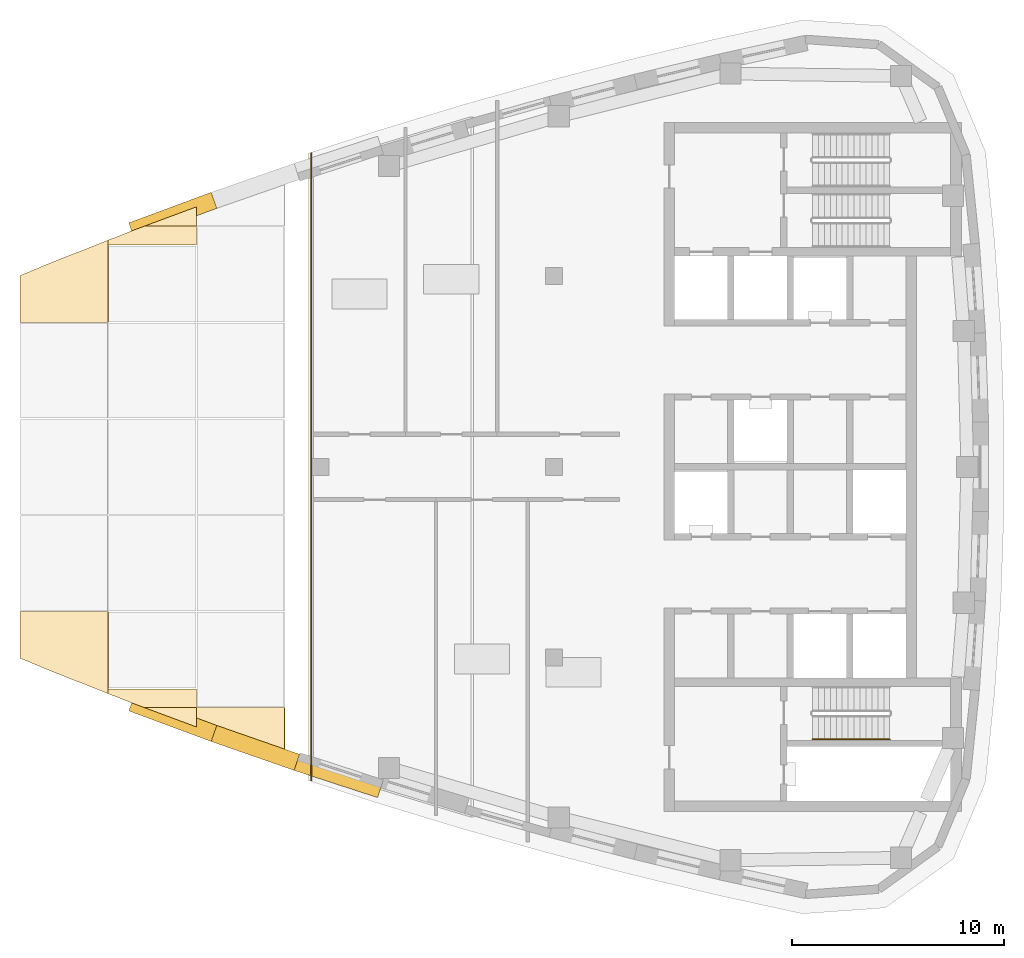
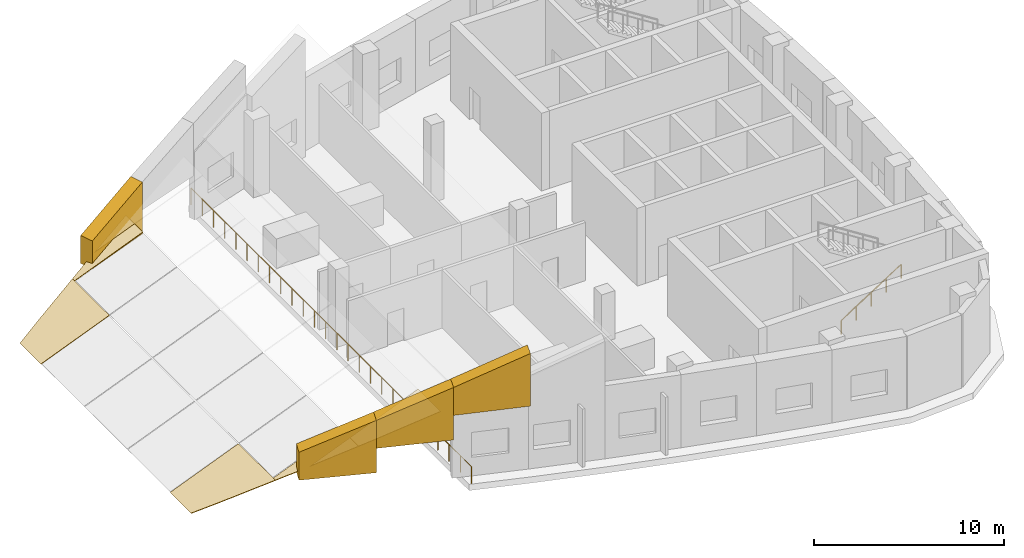
# One storey, part 5 of 8: 11 coverings, 2 railings.
"""IFC4 building model written with IfcOpenShell, lengths in metres."""

from ifc_helpers import new_model, si_unit, direction, frame, origin, origin_2d, place, context, subcontext, project, spatial, polyline, circle, outline, extrude, material, layer, layer_set, type_object, element, save


model = new_model("IFC4")

# Units and contexts
model_context = context("Model", 3, precision=1e-05, world=origin(), true_north=direction((0.0, 1.0)))
body_context = subcontext(model_context, "Body", "Model", "MODEL_VIEW")
ifc_project = project(units=[si_unit("LENGTHUNIT", "METRE"), si_unit("AREAUNIT", "SQUARE_METRE"), si_unit("VOLUMEUNIT", "CUBIC_METRE"), si_unit("PLANEANGLEUNIT", "RADIAN"), si_unit("MASSUNIT", "GRAM", prefix="KILO")], contexts=[model_context])

# Site, building, storey
site_placement = place(None, origin())
site = spatial("IfcSite", under=ifc_project, at=site_placement, CompositionType="ELEMENT")
building_placement = place(site_placement, origin())
building = spatial("IfcBuilding", under=site, at=building_placement, Name="Ostrand Prow Hotel Tower", CompositionType="ELEMENT")
storey_placement = place(building_placement, frame((0.0, 0.0, 332.39990234375)))
storey = spatial("IfcBuildingStorey", under=building, at=storey_placement, Name="C6", CompositionType="ELEMENT", Elevation=332.39990234375)

# Coverings
ifc_material_1 = material(Name="Bronze anodised aluminium cladding", Category="aluminium")
ifc_layer_1 = layer(ifc_material_1, 0.0400390625)
ifc_layer_set_1 = layer_set([ifc_layer_1], Name="Bronze anodised aluminium cladding")
covering_type_1 = type_object("IfcCoveringType", Name="Crown bronze edge capping 40 mm", PredefinedType="CLADDING", material=ifc_layer_set_1)
covering_1_placement = place(storey_placement, frame((21.23779296875, -9.615234375, -0.019775390625), z_axis=(-0.37459851432, 2.1882714e-05, 0.927187118434), x_axis=(0.870821902381, -0.34333938872, 0.351834163332)))
element("IfcCovering", 1, at=covering_1_placement, inside=storey, type_object=covering_type_1, Name="Crown edge capping 4.3", PredefinedType="CLADDING", context=body_context, shape_type="SweptSolid", body=[
    extrude(outline(polyline([(0.0, 0.0), (3.1472252786402533, -1.3877787807814457e-16), (1.8137675160046838, 3.6476989829258986), (-2.400601198109198, 2.107088669510442), (-1.6418345607332125, 0.03146815194410782), (0.0, 0.0)])), origin(), (0.0, 0.0, -1.0), 0.0400390625),
])
covering_2_placement = place(storey_placement, frame((21.23779296875, 9.615234375, -0.019775390625), z_axis=(-0.37459851432, -2.1882714e-05, 0.927187118434), x_axis=(-0.864561522434, -0.361274392442, -0.349305292392)))
element("IfcCovering", 2, at=covering_2_placement, inside=storey, type_object=covering_type_1, Name="Crown edge capping 4.7", PredefinedType="CLADDING", context=body_context, shape_type="SweptSolid", body=[
    extrude(outline(polyline([(0.0, 0.0), (1.642136099537672, -6.938893903907228e-17), (2.440538394554161, 2.0606991818918154), (-1.7435338324738887, 3.6817862848312295), (-3.1466473664025574, 0.060310082275440935), (0.0, 0.0)])), origin(), (0.0, 0.0, -1.0), 0.0400390625),
])
covering_3_placement = place(storey_placement, frame((25.680419921875, -11.353515625, 1.77490234375), z_axis=(-0.37464267894, 0.0, 0.927169274252), x_axis=(0.876699186831, -0.32543213112, 0.354249155036)))
element("IfcCovering", 3, at=covering_3_placement, inside=storey, type_object=covering_type_1, Name="Crown edge capping 5.2", PredefinedType="CLADDING", context=body_context, shape_type="SweptSolid", body=[
    extrude(outline(polyline([(0.0, 0.0), (2.8042641429104074, 0.0), (2.5072755427820916, 0.8629207690088452), (0.0, 0.0)])), origin(), (0.0, 0.0, -1.0), 0.0400390625),
])
covering_4_placement = place(storey_placement, frame((28.138916015625, -11.353515625, 2.768310546875), z_axis=(-0.374619345728, -8.1780269e-05, 0.92717869859), x_axis=(-3.0636471e-05, 0.999999996656, 7.5824924e-05)))
element("IfcCovering", 4, at=covering_4_placement, inside=storey, type_object=covering_type_1, Name="Crown edge capping 5.3", PredefinedType="CLADDING", context=body_context, shape_type="SweptSolid", body=[
    extrude(outline(polyline([(0.0, 0.0), (0.8784179658125649, 2.9761958439657936e-21), (0.8784179710622105, 4.487135366079894), (0.6577148468002431, 4.487135366079894), (0.22021483782556514, 3.2909441201112064), (-5.456937821467114e-09, 2.651615148653285), (0.0, 0.0)])), origin(), (0.0, 0.0, -1.0), 0.0400390625),
])
covering_5_placement = place(storey_placement, frame((23.978515625, 10.69580078125, 1.08740234375), z_axis=(-0.374619345728, 8.1780269e-05, 0.92717869859), x_axis=(-3.0636471e-05, -0.999999996656, 7.5824924e-05)))
element("IfcCovering", 5, at=covering_5_placement, inside=storey, type_object=covering_type_1, Name="Crown edge capping 5.7", PredefinedType="CLADDING", context=body_context, shape_type="SweptSolid", body=[
    extrude(outline(polyline([(0.0, 0.0), (0.2207031242619674, -7.47771273747937e-22), (0.22070311901232176, 4.487135366079894), (-0.6577148468002431, 4.487135366079894), (-0.6577148522571808, 1.8355202174266094), (-0.43750000897467795, 1.1961912459686876), (0.0, 0.0)])), origin(), (0.0, 0.0, -1.0), 0.0400390625),
])
covering_6_placement = place(storey_placement, frame((28.138916015625, 12.26611328125, 2.768310546875), z_axis=(-0.37464267894, 0.0, 0.927169274252), x_axis=(-0.876699186831, -0.32543213112, -0.354249155036)))
element("IfcCovering", 6, at=covering_6_placement, inside=storey, type_object=covering_type_1, Name="Crown edge capping 5.8", PredefinedType="CLADDING", context=body_context, shape_type="SweptSolid", body=[
    extrude(outline(polyline([(0.0, 0.0), (2.8042641429104074, 0.0), (0.29698860012831574, 0.8629207690088452), (0.0, 0.0)])), origin(), (0.0, 0.0, -1.0), 0.0400390625),
])
covering_7_placement = place(storey_placement, frame((28.966796875, -12.573486328125, 3.102783203125), z_axis=(-0.374556229706, 1.0139688e-05, 0.92720420118), x_axis=(0.882267864846, -0.307534524489, 0.356406973708)))
element("IfcCovering", 7, at=covering_7_placement, inside=storey, type_object=covering_type_1, Name="Crown edge capping 6.2", PredefinedType="CLADDING", context=body_context, shape_type="SweptSolid", body=[
    extrude(outline(polyline([(0.0, 0.0), (3.7772054872290606, -8.326672684688674e-17), (3.0447837864507825, 2.2661725306313714), (-1.2248041754254873, 0.8862516137411903), (-0.9441488891610892, 0.01788124782626823), (0.0, 0.0)])), origin(), (0.0, 0.0, -1.0), 0.0400390625),
])

# Railing
ifc_material_2 = material(Name="Stainless steel", Category="steel")
railing_type_1 = type_object("IfcRailingType", Name="Crown deck edge guard 1100", PredefinedType="GUARDRAIL", material=ifc_material_2)
railing_1_placement = place(storey_placement, frame((33.5634765625, -14.794189453125, 0.0)))
element("IfcRailing", 8, at=railing_1_placement, inside=storey, type_object=railing_type_1, Name="Crown deck edge guard C6-1", PredefinedType="GUARDRAIL", context=body_context, shape_type="SweptSolid", body=[
    extrude(circle(Radius=0.02392578125, at=origin_2d()), frame((0.0, 0.0, 1.076171875), z_axis=(0.0, 1.0, 0.0), x_axis=(-1.0, 0.0, 0.0)), (0.0, 0.0, 1.0), 29.58837890625),
    extrude(circle(Radius=0.02099609375, at=origin_2d()), origin(), (0.0, 0.0, 1.0), 1.052001953125),
    extrude(circle(Radius=0.02099609375, at=origin_2d()), frame((0.0, 1.18359375, 0.0)), (0.0, 0.0, 1.0), 1.052001953125),
    extrude(circle(Radius=0.02099609375, at=origin_2d()), frame((0.0, 2.3671875, 0.0)), (0.0, 0.0, 1.0), 1.052001953125),
    extrude(circle(Radius=0.02099609375, at=origin_2d()), frame((0.0, 3.550537109375, 0.0)), (0.0, 0.0, 1.0), 1.052001953125),
    extrude(circle(Radius=0.02099609375, at=origin_2d()), frame((0.0, 4.734130859375, 0.0)), (0.0, 0.0, 1.0), 1.052001953125),
    extrude(circle(Radius=0.02099609375, at=origin_2d()), frame((0.0, 5.917724609375, 0.0)), (0.0, 0.0, 1.0), 1.052001953125),
    extrude(circle(Radius=0.02099609375, at=origin_2d()), frame((0.0, 7.101318359375, 0.0)), (0.0, 0.0, 1.0), 1.052001953125),
    extrude(circle(Radius=0.02099609375, at=origin_2d()), frame((0.0, 8.28466796875, 0.0)), (0.0, 0.0, 1.0), 1.052001953125),
    extrude(circle(Radius=0.02099609375, at=origin_2d()), frame((0.0, 9.46826171875, 0.0)), (0.0, 0.0, 1.0), 1.052001953125),
    extrude(circle(Radius=0.02099609375, at=origin_2d()), frame((0.0, 10.65185546875, 0.0)), (0.0, 0.0, 1.0), 1.052001953125),
    extrude(circle(Radius=0.02099609375, at=origin_2d()), frame((0.0, 11.83544921875, 0.0)), (0.0, 0.0, 1.0), 1.052001953125),
    extrude(circle(Radius=0.02099609375, at=origin_2d()), frame((0.0, 13.018798828125, 0.0)), (0.0, 0.0, 1.0), 1.052001953125),
    extrude(circle(Radius=0.02099609375, at=origin_2d()), frame((0.0, 14.202392578125, 0.0)), (0.0, 0.0, 1.0), 1.052001953125),
    extrude(circle(Radius=0.02099609375, at=origin_2d()), frame((0.0, 15.385986328125, 0.0)), (0.0, 0.0, 1.0), 1.052001953125),
    extrude(circle(Radius=0.02099609375, at=origin_2d()), frame((0.0, 16.569580078125, 0.0)), (0.0, 0.0, 1.0), 1.052001953125),
    extrude(circle(Radius=0.02099609375, at=origin_2d()), frame((0.0, 17.7529296875, 0.0)), (0.0, 0.0, 1.0), 1.052001953125),
    extrude(circle(Radius=0.02099609375, at=origin_2d()), frame((0.0, 18.9365234375, 0.0)), (0.0, 0.0, 1.0), 1.052001953125),
    extrude(circle(Radius=0.02099609375, at=origin_2d()), frame((0.0, 20.1201171875, 0.0)), (0.0, 0.0, 1.0), 1.052001953125),
    extrude(circle(Radius=0.02099609375, at=origin_2d()), frame((0.0, 21.3037109375, 0.0)), (0.0, 0.0, 1.0), 1.052001953125),
    extrude(circle(Radius=0.02099609375, at=origin_2d()), frame((0.0, 22.487060546875, 0.0)), (0.0, 0.0, 1.0), 1.052001953125),
    extrude(circle(Radius=0.02099609375, at=origin_2d()), frame((0.0, 23.670654296875, 0.0)), (0.0, 0.0, 1.0), 1.052001953125),
    extrude(circle(Radius=0.02099609375, at=origin_2d()), frame((0.0, 24.854248046875, 0.0)), (0.0, 0.0, 1.0), 1.052001953125),
    extrude(circle(Radius=0.02099609375, at=origin_2d()), frame((0.0, 26.037841796875, 0.0)), (0.0, 0.0, 1.0), 1.052001953125),
    extrude(circle(Radius=0.02099609375, at=origin_2d()), frame((0.0, 27.22119140625, 0.0)), (0.0, 0.0, 1.0), 1.052001953125),
    extrude(circle(Radius=0.02099609375, at=origin_2d()), frame((0.0, 28.40478515625, 0.0)), (0.0, 0.0, 1.0), 1.052001953125),
    extrude(circle(Radius=0.02099609375, at=origin_2d()), frame((0.0, 29.58837890625, 0.0)), (0.0, 0.0, 1.0), 1.052001953125),
])

# Coverings
ifc_material_3 = material(Name="Limestone cladding", Category="masonry")
ifc_layer_2 = layer(ifc_material_3, 0.800048828125)
ifc_layer_set_2 = layer_set([ifc_layer_2], Name="Limestone cladding")
covering_type_2 = type_object("IfcCoveringType", Name="Crown stone fascia 800 mm", PredefinedType="CLADDING", material=ifc_layer_set_2)
covering_8_placement = place(storey_placement, frame((25.087646484375, -11.13330078125, 1.235595703125), z_axis=(0.0, 0.0, 1.0), x_axis=(0.937475883245, -0.348050238232, 0.0)))
element("IfcCovering", 9, at=covering_8_placement, inside=storey, type_object=covering_type_2, Name="Crown stone fascia 8", PredefinedType="CLADDING", context=body_context, shape_type="SweptSolid", body=[
    extrude(outline(polyline([(0.0, 0.0), (4.137939453125, 0.0), (4.13818359375, 3.3671875), (0.0, 1.7998046875), (0.0, 0.0)])), frame((0.0, 0.39990234375, 0.0), z_axis=(0.0, -1.0, 0.0), x_axis=(1.0, 0.0, 0.0)), (0.0, 0.0, 1.0), 0.800048828125),
])
covering_9_placement = place(storey_placement, frame((28.966796875, -12.573486328125, 2.802734375), z_axis=(0.0, 0.0, 1.0), x_axis=(0.944264164282, -0.329188681538, 0.0)))
element("IfcCovering", 10, at=covering_9_placement, inside=storey, type_object=covering_type_2, Name="Crown stone fascia 9", PredefinedType="CLADDING", context=body_context, shape_type="SweptSolid", body=[
    extrude(outline(polyline([(0.0, 0.0), (4.138427734375, 0.0), (4.13818359375, 3.378662109375), (0.0, 1.800048828125), (0.0, 0.0)])), frame((0.0, 0.39990234375, 0.0), z_axis=(0.0, -1.0, 0.0), x_axis=(1.0, 0.0, 0.0)), (0.0, 0.0, 1.0), 0.800048828125),
])
covering_10_placement = place(storey_placement, frame((32.87451171875, -13.935791015625, 4.38134765625), z_axis=(0.0, 0.0, 1.0), x_axis=(0.950704886081, -0.310097113146, 0.0)))
element("IfcCovering", 11, at=covering_10_placement, inside=storey, type_object=covering_type_2, Name="Crown stone fascia 10", PredefinedType="CLADDING", context=body_context, shape_type="SweptSolid", body=[
    extrude(outline(polyline([(0.0, 0.0), (4.13818359375, 0.0), (4.13818359375, 3.389404296875), (0.0, 1.800048828125), (0.0, 0.0)])), frame((0.0, 0.39990234375, 0.0), z_axis=(0.0, -1.0, 0.0), x_axis=(1.0, 0.0, 0.0)), (0.0, 0.0, 1.0), 0.800048828125),
])
covering_11_placement = place(storey_placement, frame((28.966796875, 12.573486328125, 1.235595703125), z_axis=(0.0, 0.0, 1.0), x_axis=(-0.937475883245, -0.348050238232, 0.0)))
element("IfcCovering", 12, at=covering_11_placement, inside=storey, type_object=covering_type_2, Name="Crown stone fascia 36", PredefinedType="CLADDING", context=body_context, shape_type="SweptSolid", body=[
    extrude(outline(polyline([(0.0, 0.0), (4.137939453125, 0.0), (4.13818359375, 1.7998046875), (0.0, 3.3671875), (0.0, 0.0)])), frame((0.0, 0.39990234375, 0.0), z_axis=(0.0, -1.0, 0.0), x_axis=(1.0, 0.0, 0.0)), (0.0, 0.0, 1.0), 0.800048828125),
])

# Railing
ifc_material_4 = material(Name="Stainless steel", Category="steel")
railing_type_2 = type_object("IfcRailingType", Name="Stair handrail 900", PredefinedType="HANDRAIL", material=ifc_material_4)
railing_2_placement = place(storey_placement, frame((57.199951171875, -12.85009765625, 0.1787109375)))
element("IfcRailing", 13, at=railing_2_placement, inside=storey, type_object=railing_type_2, Name="C6 ST2C stair handrail 1", PredefinedType="HANDRAIL", context=body_context, shape_type="SweptSolid", body=[
    extrude(circle(Radius=0.02392578125, at=origin_2d()), frame((0.0, 0.0, 0.8759765625), z_axis=(0.843153495434, 0.0, 0.537672933239), x_axis=(0.0, 1.0, 0.0)), (0.0, 0.0, 1.0), 4.3173828125),
    extrude(circle(Radius=0.02099609375, at=origin_2d()), origin(), (0.0, 0.0, 1.0), 0.851806640625),
    extrude(circle(Radius=0.02099609375, at=origin_2d()), frame((0.91015625, 0.0, 0.580322265625)), (0.0, 0.0, 1.0), 0.851806640625),
    extrude(circle(Radius=0.02099609375, at=origin_2d()), frame((1.820068359375, 0.0, 1.16064453125)), (0.0, 0.0, 1.0), 0.851806640625),
    extrude(circle(Radius=0.02099609375, at=origin_2d()), frame((2.72998046875, 0.0, 1.740966796875)), (0.0, 0.0, 1.0), 0.851806640625),
    extrude(circle(Radius=0.02099609375, at=origin_2d()), frame((3.64013671875, 0.0, 2.3212890625)), (0.0, 0.0, 1.0), 0.851806640625),
])

save(model, "model.ifc")
